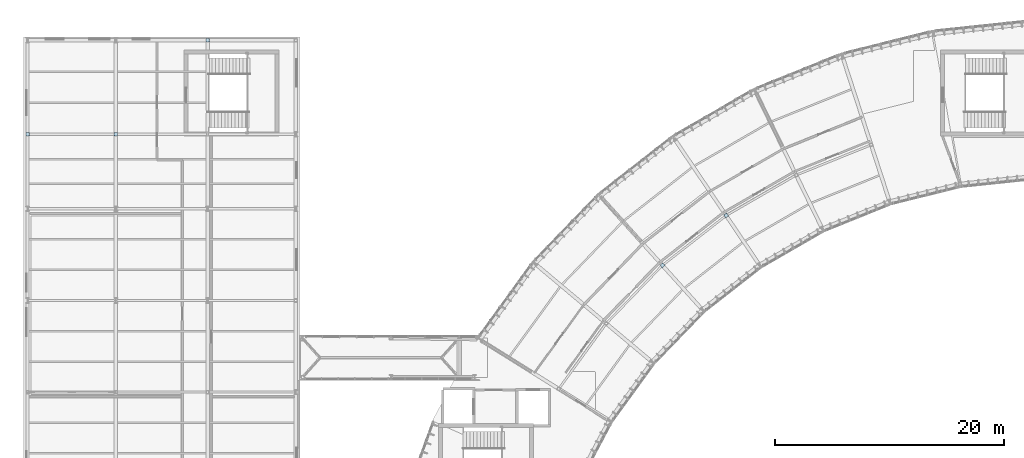
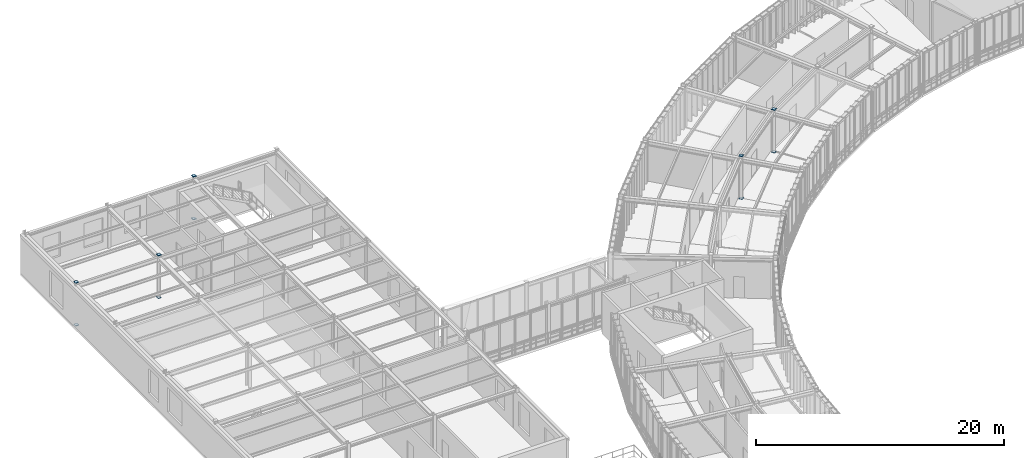
# One storey, part 34 of 52: 10 plates.
"""IFC4 building model written with IfcOpenShell, lengths in metres."""

from ifc_helpers import new_model, si_unit, direction, frame, origin, origin_2d, place, context, subcontext, project, spatial, rectangle, extrude, material, layer, layer_set, type_object, element, save


model = new_model("IFC4")

# Units and contexts
model_context = context("Model", 3, precision=1e-05, world=origin(), true_north=direction((0.0, 1.0)))
body_context = subcontext(model_context, "Body", "Model", "MODEL_VIEW")
ifc_project = project(units=[si_unit("LENGTHUNIT", "METRE"), si_unit("AREAUNIT", "SQUARE_METRE"), si_unit("VOLUMEUNIT", "CUBIC_METRE"), si_unit("PLANEANGLEUNIT", "RADIAN"), si_unit("MASSUNIT", "GRAM", prefix="KILO"), si_unit("THERMODYNAMICTEMPERATUREUNIT", "KELVIN"), si_unit("POWERUNIT", "WATT")], contexts=[model_context])

# Site, building, storey
site_placement = place(None, origin())
site = spatial("IfcSite", under=ifc_project, at=site_placement, CompositionType="ELEMENT")
building_placement = place(site_placement, origin())
building = spatial("IfcBuilding", under=site, at=building_placement, Name="Solvatero Civic Police Headquarters", CompositionType="ELEMENT")
storey_placement = place(building_placement, frame((0.0, 0.0, 13.5)))
storey = spatial("IfcBuildingStorey", under=building, at=storey_placement, Name="L03", CompositionType="ELEMENT", Elevation=13.5)

# Plates
ifc_material = material(Name="Steel S355", Category="steel")
ifc_layer = layer(ifc_material, 0.02001953125)
ifc_layer_set = layer_set([ifc_layer], Name="Steel S355")
plate_type = type_object("IfcPlateType", Name="PLT-CAP-20", PredefinedType="SHEET", material=ifc_layer_set)
for number, where, z_axis, x_axis, name in (
    (1, (65.73291015625, 67.90771484375, 4.199951171875), (0.0, 0.0, 1.0), (0.829037572555, 0.559192903471, 0.0), "Hollow Section End Cap Plate 0015"),
    (2, (65.73291015625, 67.90771484375, -0.02001953125), (0.0, 0.0, 1.0), (0.829037572555, 0.559192903471, 0.0), "Hollow Section End Cap Plate 0016"),
    (3, (60.17529296875, 63.56591796875, 4.199951171875), (0.0, 0.0, 1.0), (0.743144825477, 0.669130606359, 0.0), "Hollow Section End Cap Plate 0019"),
    (4, (60.17529296875, 63.56591796875, -0.02001953125), (0.0, 0.0, 1.0), (0.743144825477, 0.669130606359, 0.0), "Hollow Section End Cap Plate 0020"),
    (5, (4.800048828125, 75.0, 4.199951171875), (0.0, 0.0, 1.0), (1.0, 0.0, 0.0), "Hollow Section End Cap Plate 0111"),
    (6, (4.800048828125, 75.0, -0.02001953125), (0.0, 0.0, 1.0), (1.0, 0.0, 0.0), "Hollow Section End Cap Plate 0112"),
    (7, (12.5, 75.0, 4.199951171875), (0.0, 0.0, 1.0), (1.0, 0.0, 0.0), "Hollow Section End Cap Plate 0119"),
    (8, (12.5, 75.0, -0.02001953125), (0.0, 0.0, 1.0), (1.0, 0.0, 0.0), "Hollow Section End Cap Plate 0120"),
    (9, (20.5, 83.199951171875, 4.199951171875), (0.0, 0.0, 1.0), (1.0, 0.0, 0.0), "Hollow Section End Cap Plate 0125"),
    (10, (20.5, 83.199951171875, -0.02001953125), (0.0, 0.0, 1.0), (1.0, 0.0, 0.0), "Hollow Section End Cap Plate 0126"),
):
    element("IfcPlate", number, at=place(storey_placement, frame(where, z_axis=z_axis, x_axis=x_axis)), inside=storey, type_object=plate_type, Name=name, PredefinedType="SHEET", context=body_context, shape_type="SweptSolid", body=[
        extrude(rectangle(XDim=0.31298828125, YDim=0.31298828125, at=origin_2d()), origin(), (0.0, 0.0, 1.0), 0.02001953125),
    ])

save(model, "model.ifc")
